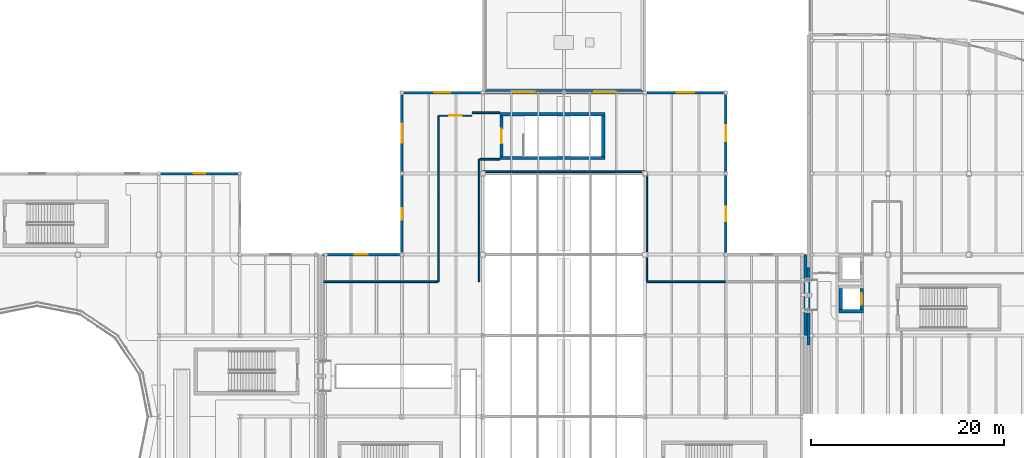
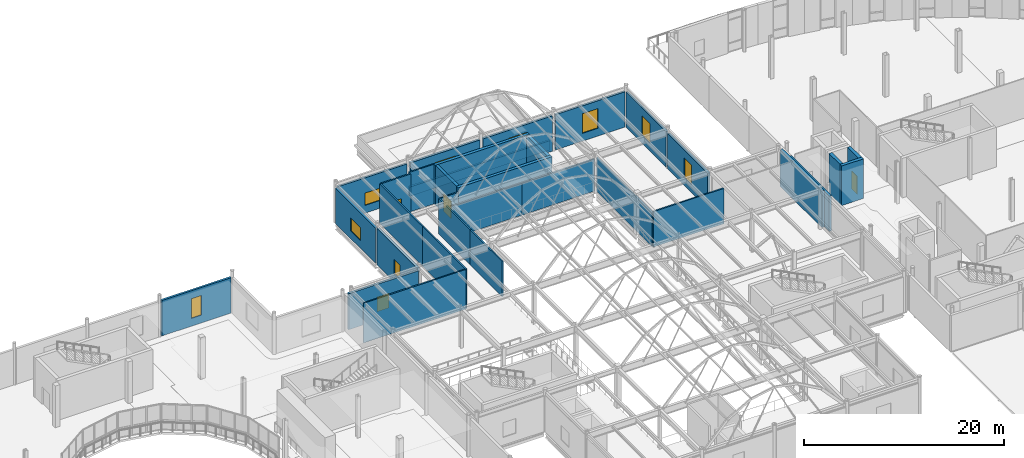
# One storey, part 67 of 103: 32 walls, 10 windows, 3 doors, 13 openings.
"""IFC4 building model written with IfcOpenShell, lengths in metres."""

from ifc_helpers import new_model, si_unit, direction, frame, frame_2d, origin, place, context, subcontext, project, spatial, rectangle, extrude, material, layer, layer_set, type_object, element, fill, save


model = new_model("IFC4")

# Units and contexts
model_context = context("Model", 3, precision=1e-05, world=origin(), true_north=direction((0.0, 1.0)))
body_context = subcontext(model_context, "Body", "Model", "MODEL_VIEW")
ifc_project = project(units=[si_unit("LENGTHUNIT", "METRE"), si_unit("AREAUNIT", "SQUARE_METRE"), si_unit("VOLUMEUNIT", "CUBIC_METRE"), si_unit("PLANEANGLEUNIT", "RADIAN"), si_unit("MASSUNIT", "GRAM", prefix="KILO"), si_unit("THERMODYNAMICTEMPERATUREUNIT", "KELVIN")], contexts=[model_context])

# Site, building, storey
site_placement = place(None, origin())
site = spatial("IfcSite", under=ifc_project, at=site_placement, CompositionType="ELEMENT")
building_placement = place(site_placement, origin())
building = spatial("IfcBuilding", under=site, at=building_placement, Name="Lustrewick Department Store", CompositionType="ELEMENT")
storey_placement = place(building_placement, frame((0.0, 0.0, 16.5)))
storey = spatial("IfcBuildingStorey", under=building, at=storey_placement, Name="L04", CompositionType="ELEMENT", Elevation=16.5)

# Wall, opening, window
ifc_material_1 = material(Name="Precast concrete C40", Category="concrete")
ifc_layer_1 = layer(ifc_material_1, 0.239990234375, Name="Precast concrete C40")
ifc_layer_set_1 = layer_set([ifc_layer_1], Name="Precast concrete C40")
wall_type_1 = type_object("IfcWallType", Name="EW01", PredefinedType="STANDARD", material=ifc_layer_set_1)
wall_1_placement = place(storey_placement, frame((50.216552734375, 92.39990234375, 0.0), z_axis=(0.0, 0.0, 1.0), x_axis=(-1.0, 0.0, 0.0)))
wall_1 = element("IfcWall", 1, at=wall_1_placement, inside=storey, type_object=wall_type_1, Name="L04 V1 Exterior Wall EW01", PredefinedType="STANDARD", context=body_context, shape_type="SweptSolid", body=[
    extrude(rectangle(XDim=8.032958984375, YDim=0.239990234375, at=frame_2d((4.0166015625, 0.0))), origin(), (0.0, 0.0, 1.0), 4.3310546875),
])
opening_1_placement = place(wall_1_placement, frame((3.41650390625, 0.0, 0.949951171875)))
opening_1 = element("IfcOpeningElement", 2, at=opening_1_placement, cuts=wall_1, Name="Opening WN13", PredefinedType="OPENING", context=body_context, shape_type="SweptSolid", body=[
    extrude(rectangle(XDim=1.199951171875, YDim=2.39990234375, at=frame_2d((0.60009765625, 1.199951171875))), frame((0.0, 0.1298828125, 0.0), z_axis=(0.0, -1.0, 0.0), x_axis=(1.0, 0.0, 0.0)), (0.0, 0.0, 1.0), 0.260009765625),
])
ifc_material_2 = material(Name="Thermally broken Low-E triple-glazed window", Category="glass")
window_type_1 = type_object("IfcWindowType", Name="WN13", PartitioningType="DOUBLE_PANEL_VERTICAL", PredefinedType="WINDOW", material=ifc_material_2)
window_1_placement = place(opening_1_placement, origin())
window_1 = element("IfcWindow", 3, at=window_1_placement, inside=storey, type_object=window_type_1, Name="L04 Art Nouveau Window WN13", OverallHeight=2.39990234375, OverallWidth=1.199951171875, PartitioningType="SINGLE_PANEL", PredefinedType="WINDOW", context=body_context, shape_type="SweptSolid", body=[
    extrude(rectangle(XDim=1.199951171875, YDim=2.39990234375, at=frame_2d((0.60009765625, 1.199951171875))), frame((0.0, 0.030029296875, 0.0), z_axis=(0.0, -1.0, 0.0), x_axis=(1.0, 0.0, 0.0)), (0.0, 0.0, 1.0), 0.06005859375),
])
fill(opening_1, window_1)

wall_2_placement = place(storey_placement, frame((100.800048828125, 92.58349609375, 0.0), z_axis=(0.0, 0.0, 1.0), x_axis=(0.0, 1.0, 0.0)))
wall_2 = element("IfcWall", 4, at=wall_2_placement, inside=storey, type_object=wall_type_1, Name="L04 V2 Exterior Wall EW01", PredefinedType="STANDARD", context=body_context, shape_type="SweptSolid", body=[
    extrude(rectangle(XDim=8.0185546875, YDim=0.239990234375, at=frame_2d((4.00927734375, 0.0))), origin(), (0.0, 0.0, 1.0), 4.320068359375),
])
opening_2_placement = place(wall_2_placement, frame((3.169189453125, 0.0, 0.949951171875)))
opening_2 = element("IfcOpeningElement", 5, at=opening_2_placement, cuts=wall_2, Name="Opening WN15", PredefinedType="OPENING", context=body_context, shape_type="SweptSolid", body=[
    extrude(rectangle(XDim=1.679931640625, YDim=2.39990234375, at=frame_2d((0.83984375, 1.199951171875))), frame((0.0, 0.1298828125, 0.0), z_axis=(0.0, -1.0, 0.0), x_axis=(1.0, 0.0, 0.0)), (0.0, 0.0, 1.0), 0.260009765625),
])
window_type_2 = type_object("IfcWindowType", Name="WN15", PartitioningType="DOUBLE_PANEL_VERTICAL", PredefinedType="WINDOW", material=ifc_material_2)
window_2_placement = place(opening_2_placement, origin())
window_2 = element("IfcWindow", 6, at=window_2_placement, inside=storey, type_object=window_type_2, Name="L04 Art Nouveau Window WN15", OverallHeight=2.39990234375, OverallWidth=1.679931640625, PartitioningType="SINGLE_PANEL", PredefinedType="WINDOW", context=body_context, shape_type="SweptSolid", body=[
    extrude(rectangle(XDim=1.679931640625, YDim=2.39990234375, at=frame_2d((0.83984375, 1.199951171875))), frame((0.0, 0.030029296875, 0.0), z_axis=(0.0, -1.0, 0.0), x_axis=(1.0, 0.0, 0.0)), (0.0, 0.0, 1.0), 0.06005859375),
])
fill(opening_2, window_2)

wall_3_placement = place(storey_placement, frame((100.60205078125, 100.800048828125, 0.0), z_axis=(0.0, 0.0, 1.0), x_axis=(-1.0, 0.0, 0.0)))
wall_3 = element("IfcWall", 7, at=wall_3_placement, inside=storey, type_object=wall_type_1, Name="L04 V2 Exterior Wall EW01", PredefinedType="STANDARD", context=body_context, shape_type="SweptSolid", body=[
    extrude(rectangle(XDim=8.004150390625, YDim=0.239990234375, at=frame_2d((4.001953125, 0.0))), origin(), (0.0, 0.0, 1.0), 4.320068359375),
])
opening_3_placement = place(wall_3_placement, frame((3.10205078125, 0.0, 0.949951171875)))
opening_3 = element("IfcOpeningElement", 8, at=opening_3_placement, cuts=wall_3, Name="Opening WN16", PredefinedType="OPENING", context=body_context, shape_type="SweptSolid", body=[
    extrude(rectangle(XDim=1.800048828125, YDim=2.39990234375, at=frame_2d((0.89990234375, 1.199951171875))), frame((0.0, 0.1298828125, 0.0), z_axis=(0.0, -1.0, 0.0), x_axis=(1.0, 0.0, 0.0)), (0.0, 0.0, 1.0), 0.260009765625),
])
window_type_3 = type_object("IfcWindowType", Name="WN16", PartitioningType="DOUBLE_PANEL_VERTICAL", PredefinedType="WINDOW", material=ifc_material_2)
window_3_placement = place(opening_3_placement, origin())
window_3 = element("IfcWindow", 9, at=window_3_placement, inside=storey, type_object=window_type_3, Name="L04 Art Nouveau Window WN16", OverallHeight=2.39990234375, OverallWidth=1.800048828125, PartitioningType="SINGLE_PANEL", PredefinedType="WINDOW", context=body_context, shape_type="SweptSolid", body=[
    extrude(rectangle(XDim=1.800048828125, YDim=2.39990234375, at=frame_2d((0.89990234375, 1.199951171875))), frame((0.0, 0.030029296875, 0.0), z_axis=(0.0, -1.0, 0.0), x_axis=(1.0, 0.0, 0.0)), (0.0, 0.0, 1.0), 0.06005859375),
])
fill(opening_3, window_3)

wall_4_placement = place(storey_placement, frame((75.402099609375, 100.800048828125, 0.0), z_axis=(0.0, 0.0, 1.0), x_axis=(-1.0, 0.0, 0.0)))
wall_4 = element("IfcWall", 10, at=wall_4_placement, inside=storey, type_object=wall_type_1, Name="L04 V2 Exterior Wall EW01", PredefinedType="STANDARD", context=body_context, shape_type="SweptSolid", body=[
    extrude(rectangle(XDim=8.004150390625, YDim=0.239990234375, at=frame_2d((4.001953125, 0.0))), origin(), (0.0, 0.0, 1.0), 4.320068359375),
])
opening_4_placement = place(wall_4_placement, frame((3.162109375, 0.0, 0.949951171875)))
opening_4 = element("IfcOpeningElement", 11, at=opening_4_placement, cuts=wall_4, Name="Opening WN19", PredefinedType="OPENING", context=body_context, shape_type="SweptSolid", body=[
    extrude(rectangle(XDim=1.679931640625, YDim=1.5, at=frame_2d((0.83984375, 0.75))), frame((0.0, 0.1298828125, 0.0), z_axis=(0.0, -1.0, 0.0), x_axis=(1.0, 0.0, 0.0)), (0.0, 0.0, 1.0), 0.260009765625),
])
window_type_4 = type_object("IfcWindowType", Name="WN19", PartitioningType="DOUBLE_PANEL_VERTICAL", PredefinedType="WINDOW", material=ifc_material_2)
window_4_placement = place(opening_4_placement, origin())
window_4 = element("IfcWindow", 12, at=window_4_placement, inside=storey, type_object=window_type_4, Name="L04 Art Nouveau Window WN19", OverallHeight=1.5, OverallWidth=1.679931640625, PartitioningType="SINGLE_PANEL", PredefinedType="WINDOW", context=body_context, shape_type="SweptSolid", body=[
    extrude(rectangle(XDim=1.679931640625, YDim=1.5, at=frame_2d((0.83984375, 0.75))), frame((0.0, 0.030029296875, 0.0), z_axis=(0.0, -1.0, 0.0), x_axis=(1.0, 0.0, 0.0)), (0.0, 0.0, 1.0), 0.06005859375),
])
fill(opening_4, window_4)

ifc_layer_2 = layer(ifc_material_1, 0.260009765625, Name="Precast concrete C40")
ifc_layer_set_2 = layer_set([ifc_layer_2], Name="Precast concrete C40")
wall_type_2 = type_object("IfcWallType", Name="EW02", PredefinedType="STANDARD", material=ifc_layer_set_2)
wall_5_placement = place(storey_placement, frame((92.201904296875, 100.800048828125, 0.0), z_axis=(0.0, 0.0, 1.0), x_axis=(-1.0, 0.0, 0.0)))
wall_5 = element("IfcWall", 13, at=wall_5_placement, inside=storey, type_object=wall_type_2, Name="L04 V2 Exterior Wall EW02", PredefinedType="STANDARD", context=body_context, shape_type="SweptSolid", body=[
    extrude(rectangle(XDim=8.00390625, YDim=0.260009765625, at=frame_2d((4.001953125, 0.0))), origin(), (0.0, 0.0, 1.0), 4.320068359375),
])
opening_5_placement = place(wall_5_placement, frame((2.951904296875, 0.0, 0.949951171875)))
opening_5 = element("IfcOpeningElement", 14, at=opening_5_placement, cuts=wall_5, Name="Opening WN17", PredefinedType="OPENING", context=body_context, shape_type="SweptSolid", body=[
    extrude(rectangle(XDim=2.10009765625, YDim=2.39990234375, at=frame_2d((1.050048828125, 1.199951171875))), frame((0.0, 0.14013671875, 0.0), z_axis=(0.0, -1.0, 0.0), x_axis=(1.0, 0.0, 0.0)), (0.0, 0.0, 1.0), 0.280029296875),
])
window_type_5 = type_object("IfcWindowType", Name="WN17", PartitioningType="DOUBLE_PANEL_VERTICAL", PredefinedType="WINDOW", material=ifc_material_2)
window_5_placement = place(opening_5_placement, origin())
window_5 = element("IfcWindow", 15, at=window_5_placement, inside=storey, type_object=window_type_5, Name="L04 Art Nouveau Window WN17", OverallHeight=2.39990234375, OverallWidth=2.10009765625, PartitioningType="SINGLE_PANEL", PredefinedType="WINDOW", context=body_context, shape_type="SweptSolid", body=[
    extrude(rectangle(XDim=2.10009765625, YDim=2.39990234375, at=frame_2d((1.050048828125, 1.199951171875))), frame((0.0, 0.030029296875, 0.0), z_axis=(0.0, -1.0, 0.0), x_axis=(1.0, 0.0, 0.0)), (0.0, 0.0, 1.0), 0.06005859375),
])
fill(opening_5, window_5)

wall_6_placement = place(storey_placement, frame((67.199951171875, 100.60205078125, 0.0), z_axis=(0.0, 0.0, 1.0), x_axis=(0.0, -1.0, 0.0)))
wall_6 = element("IfcWall", 16, at=wall_6_placement, inside=storey, type_object=wall_type_2, Name="L04 V2 Exterior Wall EW02", PredefinedType="STANDARD", context=body_context, shape_type="SweptSolid", body=[
    extrude(rectangle(XDim=8.0185546875, YDim=0.260009765625, at=frame_2d((4.00927734375, 0.0))), origin(), (0.0, 0.0, 1.0), 4.320068359375),
])
opening_6_placement = place(wall_6_placement, frame((3.00927734375, 0.0, 0.949951171875)))
opening_6 = element("IfcOpeningElement", 17, at=opening_6_placement, cuts=wall_6, Name="Opening WN20", PredefinedType="OPENING", context=body_context, shape_type="SweptSolid", body=[
    extrude(rectangle(XDim=2.0, YDim=1.60009765625, at=frame_2d((1.0, 0.800048828125))), frame((0.0, 0.14013671875, 0.0), z_axis=(0.0, -1.0, 0.0), x_axis=(1.0, 0.0, 0.0)), (0.0, 0.0, 1.0), 0.280029296875),
])
window_type_6 = type_object("IfcWindowType", Name="WN20", PartitioningType="DOUBLE_PANEL_VERTICAL", PredefinedType="WINDOW", material=ifc_material_2)
window_6_placement = place(opening_6_placement, origin())
window_6 = element("IfcWindow", 18, at=window_6_placement, inside=storey, type_object=window_type_6, Name="L04 Art Nouveau Window WN20", OverallHeight=1.60009765625, OverallWidth=2.0, PartitioningType="SINGLE_PANEL", PredefinedType="WINDOW", context=body_context, shape_type="SweptSolid", body=[
    extrude(rectangle(XDim=2.0, YDim=1.60009765625, at=frame_2d((1.0, 0.800048828125))), frame((0.0, 0.030029296875, 0.0), z_axis=(0.0, -1.0, 0.0), x_axis=(1.0, 0.0, 0.0)), (0.0, 0.0, 1.0), 0.06005859375),
])
fill(opening_6, window_6)

ifc_layer_3 = layer(ifc_material_1, 0.280029296875, Name="Precast concrete C40")
ifc_layer_set_3 = layer_set([ifc_layer_3], Name="Precast concrete C40")
wall_type_3 = type_object("IfcWallType", Name="EW03", PredefinedType="STANDARD", material=ifc_layer_set_3)
wall_7_placement = place(storey_placement, frame((100.800048828125, 84.197998046875, 0.0), z_axis=(0.0, 0.0, 1.0), x_axis=(0.0, 1.0, 0.0)))
wall_7 = element("IfcWall", 19, at=wall_7_placement, inside=storey, type_object=wall_type_3, Name="L04 V2 Exterior Wall EW03", PredefinedType="STANDARD", context=body_context, shape_type="SweptSolid", body=[
    extrude(rectangle(XDim=8.0185546875, YDim=0.280029296875, at=frame_2d((4.00927734375, 0.0))), origin(), (0.0, 0.0, 1.0), 4.3310546875),
])
opening_7_placement = place(wall_7_placement, frame((3.25927734375, 0.0, 0.949951171875)))
opening_7 = element("IfcOpeningElement", 20, at=opening_7_placement, cuts=wall_7, Name="Opening WN14", PredefinedType="OPENING", context=body_context, shape_type="SweptSolid", body=[
    extrude(rectangle(XDim=1.5, YDim=2.39990234375, at=frame_2d((0.75, 1.199951171875))), frame((0.0, 0.14990234375, 0.0), z_axis=(0.0, -1.0, 0.0), x_axis=(1.0, 0.0, 0.0)), (0.0, 0.0, 1.0), 0.300048828125),
])
window_type_7 = type_object("IfcWindowType", Name="WN14", PartitioningType="DOUBLE_PANEL_VERTICAL", PredefinedType="WINDOW", material=ifc_material_2)
window_7_placement = place(opening_7_placement, origin())
window_7 = element("IfcWindow", 21, at=window_7_placement, inside=storey, type_object=window_type_7, Name="L04 Art Nouveau Window WN14", OverallHeight=2.39990234375, OverallWidth=1.5, PartitioningType="SINGLE_PANEL", PredefinedType="WINDOW", context=body_context, shape_type="SweptSolid", body=[
    extrude(rectangle(XDim=1.5, YDim=2.39990234375, at=frame_2d((0.75, 1.199951171875))), frame((0.0, 0.030029296875, 0.0), z_axis=(0.0, -1.0, 0.0), x_axis=(1.0, 0.0, 0.0)), (0.0, 0.0, 1.0), 0.06005859375),
])
fill(opening_7, window_7)

wall_8_placement = place(storey_placement, frame((83.802001953125, 100.800048828125, 0.0), z_axis=(0.0, 0.0, 1.0), x_axis=(-1.0, 0.0, 0.0)))
wall_8 = element("IfcWall", 22, at=wall_8_placement, inside=storey, type_object=wall_type_3, Name="L04 V2 Exterior Wall EW03", PredefinedType="STANDARD", context=body_context, shape_type="SweptSolid", body=[
    extrude(rectangle(XDim=8.00390625, YDim=0.280029296875, at=frame_2d((4.001953125, 0.0))), origin(), (0.0, 0.0, 1.0), 4.320068359375),
])
opening_8_placement = place(wall_8_placement, frame((2.802001953125, 0.0, 0.949951171875)))
opening_8 = element("IfcOpeningElement", 23, at=opening_8_placement, cuts=wall_8, Name="Opening WN18", PredefinedType="OPENING", context=body_context, shape_type="SweptSolid", body=[
    extrude(rectangle(XDim=2.39990234375, YDim=2.39990234375, at=frame_2d((1.199951171875, 1.199951171875))), frame((0.0, 0.14990234375, 0.0), z_axis=(0.0, -1.0, 0.0), x_axis=(1.0, 0.0, 0.0)), (0.0, 0.0, 1.0), 0.300048828125),
])
window_type_8 = type_object("IfcWindowType", Name="WN18", PartitioningType="DOUBLE_PANEL_VERTICAL", PredefinedType="WINDOW", material=ifc_material_2)
window_8_placement = place(opening_8_placement, origin())
window_8 = element("IfcWindow", 24, at=window_8_placement, inside=storey, type_object=window_type_8, Name="L04 Art Nouveau Window WN18", OverallHeight=2.39990234375, OverallWidth=2.39990234375, PartitioningType="SINGLE_PANEL", PredefinedType="WINDOW", context=body_context, shape_type="SweptSolid", body=[
    extrude(rectangle(XDim=2.39990234375, YDim=2.39990234375, at=frame_2d((1.199951171875, 1.199951171875))), frame((0.0, 0.030029296875, 0.0), z_axis=(0.0, -1.0, 0.0), x_axis=(1.0, 0.0, 0.0)), (0.0, 0.0, 1.0), 0.06005859375),
])
fill(opening_8, window_8)

wall_9_placement = place(storey_placement, frame((67.199951171875, 92.216552734375, 0.0), z_axis=(0.0, 0.0, 1.0), x_axis=(0.0, -1.0, 0.0)))
wall_9 = element("IfcWall", 25, at=wall_9_placement, inside=storey, type_object=wall_type_3, Name="L04 V2 Exterior Wall EW03", PredefinedType="STANDARD", context=body_context, shape_type="SweptSolid", body=[
    extrude(rectangle(XDim=8.0185546875, YDim=0.280029296875, at=frame_2d((4.00927734375, 0.0))), origin(), (0.0, 0.0, 1.0), 4.487060546875),
])
opening_9_placement = place(wall_9_placement, frame((3.4091796875, 0.0, 0.949951171875)))
opening_9 = element("IfcOpeningElement", 26, at=opening_9_placement, cuts=wall_9, Name="Opening WN01", PredefinedType="OPENING", context=body_context, shape_type="SweptSolid", body=[
    extrude(rectangle(XDim=1.199951171875, YDim=1.800048828125, at=frame_2d((0.60009765625, 0.89990234375))), frame((0.0, 0.14990234375, 0.0), z_axis=(0.0, -1.0, 0.0), x_axis=(1.0, 0.0, 0.0)), (0.0, 0.0, 1.0), 0.300048828125),
])
window_type_9 = type_object("IfcWindowType", Name="WN01", PartitioningType="DOUBLE_PANEL_VERTICAL", PredefinedType="WINDOW", material=ifc_material_2)
window_9_placement = place(opening_9_placement, origin())
window_9 = element("IfcWindow", 27, at=window_9_placement, inside=storey, type_object=window_type_9, Name="L04 Art Nouveau Window WN01", OverallHeight=1.800048828125, OverallWidth=1.199951171875, PartitioningType="SINGLE_PANEL", PredefinedType="WINDOW", context=body_context, shape_type="SweptSolid", body=[
    extrude(rectangle(XDim=1.199951171875, YDim=1.800048828125, at=frame_2d((0.60009765625, 0.89990234375))), frame((0.0, 0.030029296875, 0.0), z_axis=(0.0, -1.0, 0.0), x_axis=(1.0, 0.0, 0.0)), (0.0, 0.0, 1.0), 0.06005859375),
])
fill(opening_9, window_9)

wall_10_placement = place(storey_placement, frame((67.001953125, 84.0, 0.0), z_axis=(0.0, 0.0, 1.0), x_axis=(-1.0, 0.0, 0.0)))
wall_10 = element("IfcWall", 28, at=wall_10_placement, inside=storey, type_object=wall_type_3, Name="L04 V2 Exterior Wall EW03", PredefinedType="STANDARD", context=body_context, shape_type="SweptSolid", body=[
    extrude(rectangle(XDim=8.052001953125, YDim=0.280029296875, at=frame_2d((4.02587890625, 0.0))), origin(), (0.0, 0.0, 1.0), 4.39697265625),
])
opening_10_placement = place(wall_10_placement, frame((3.35107421875, 0.0, 0.949951171875)))
opening_10 = element("IfcOpeningElement", 29, at=opening_10_placement, cuts=wall_10, Name="Opening WN02", PredefinedType="OPENING", context=body_context, shape_type="SweptSolid", body=[
    extrude(rectangle(XDim=1.35009765625, YDim=1.800048828125, at=frame_2d((0.675048828125, 0.89990234375))), frame((0.0, 0.14990234375, 0.0), z_axis=(0.0, -1.0, 0.0), x_axis=(1.0, 0.0, 0.0)), (0.0, 0.0, 1.0), 0.300048828125),
])
window_type_10 = type_object("IfcWindowType", Name="WN02", PartitioningType="DOUBLE_PANEL_VERTICAL", PredefinedType="WINDOW", material=ifc_material_2)
window_10_placement = place(opening_10_placement, origin())
window_10 = element("IfcWindow", 30, at=window_10_placement, inside=storey, type_object=window_type_10, Name="L04 Art Nouveau Window WN02", OverallHeight=1.800048828125, OverallWidth=1.35009765625, PartitioningType="SINGLE_PANEL", PredefinedType="WINDOW", context=body_context, shape_type="SweptSolid", body=[
    extrude(rectangle(XDim=1.35009765625, YDim=1.800048828125, at=frame_2d((0.675048828125, 0.89990234375))), frame((0.0, 0.030029296875, 0.0), z_axis=(0.0, -1.0, 0.0), x_axis=(1.0, 0.0, 0.0)), (0.0, 0.0, 1.0), 0.06005859375),
])
fill(opening_10, window_10)

# Walls
ifc_layer_4 = layer(ifc_material_1, 0.300048828125, Name="Precast concrete C40")
ifc_layer_set_4 = layer_set([ifc_layer_4], Name="Precast concrete C40")
wall_type_4 = type_object("IfcWallType", Name="EW04", PredefinedType="STANDARD", material=ifc_layer_set_4)
wall_11_placement = place(storey_placement, frame((109.050048828125, 75.60009765625, 0.0), z_axis=(0.0, 0.0, 1.0), x_axis=(0.0, 1.0, 0.0)))
element("IfcWall", 31, at=wall_11_placement, inside=storey, type_object=wall_type_4, Name="L04 V2 Exterior Wall EW04", PredefinedType="STANDARD", context=body_context, shape_type="SweptSolid", body=[
    extrude(rectangle(XDim=8.39990234375, YDim=0.300048828125, at=frame_2d((4.199951171875, 0.0))), origin(), (0.0, 0.0, 1.0), 4.487060546875),
])
wall_12_placement = place(storey_placement, frame((109.35009765625, 82.69287109375, 0.0), z_axis=(0.0, 0.0, 1.0), x_axis=(0.0, -1.0, 0.0)))
element("IfcWall", 32, at=wall_12_placement, inside=storey, type_object=wall_type_4, Name="L04 V4 Exterior Wall EW04", PredefinedType="STANDARD", context=body_context, shape_type="SweptSolid", body=[
    extrude(rectangle(XDim=8.035888671875, YDim=0.300048828125, at=frame_2d((4.01806640625, 0.0))), origin(), (0.0, 0.0, 1.0), 4.3310546875),
])
ifc_layer_5 = layer(ifc_material_1, 0.22998046875, Name="Precast concrete C40")
ifc_layer_set_5 = layer_set([ifc_layer_5], Name="Precast concrete C40")
wall_type_5 = type_object("IfcWallType", Name="PA03", PredefinedType="PARAPET", material=ifc_layer_set_5)
wall_13_placement = place(storey_placement, frame((92.1201171875, 101.080078125, 0.0), z_axis=(0.0, 0.0, 1.0), x_axis=(-1.0, 0.0, 0.0)))
element("IfcWall", 33, at=wall_13_placement, inside=storey, type_object=wall_type_5, Name="L04 Roof Parapet PA03", PredefinedType="PARAPET", context=body_context, shape_type="SweptSolid", body=[
    extrude(rectangle(XDim=16.240234375, YDim=0.22998046875, at=frame_2d((8.1201171875, 0.0))), origin(), (0.0, 0.0, 1.0), 1.14990234375),
])
ifc_material_3 = material(Name="Double-stud gypsum fire board with mineral wool", Category="gypsum")
ifc_layer_6 = layer(ifc_material_3, 0.1650390625, Name="Double-stud gypsum fire board with mineral wool")
ifc_layer_set_6 = layer_set([ifc_layer_6], Name="Double-stud gypsum fire board with mineral wool")
wall_type_6 = type_object("IfcWallType", Name="PW04", PredefinedType="PARTITIONING", material=ifc_layer_set_6)
wall_14_placement = place(storey_placement, frame((75.2099609375, 93.889892578125, 0.0), z_axis=(0.0, 0.0, 1.0), x_axis=(0.0, -1.0, 0.0)))
element("IfcWall", 34, at=wall_14_placement, inside=storey, type_object=wall_type_6, Name="L04 AHU Mechanical Plant PW04", PredefinedType="PARTITIONING", context=body_context, shape_type="SweptSolid", body=[
    extrude(rectangle(XDim=6.346923828125, YDim=0.1650390625, at=frame_2d((3.17333984375, 0.0))), origin(), (0.0, 0.0, 1.0), 4.320068359375),
])
wall_15_placement = place(storey_placement, frame((75.2099609375, 87.54296875, 0.0), z_axis=(0.0, 0.0, 1.0), x_axis=(0.0, -1.0, 0.0)))
element("IfcWall", 35, at=wall_15_placement, inside=storey, type_object=wall_type_6, Name="L04 AHU Mechanical Plant PW04", PredefinedType="PARTITIONING", context=body_context, shape_type="SweptSolid", body=[
    extrude(rectangle(XDim=6.34716796875, YDim=0.1650390625, at=frame_2d((3.173583984375, 0.0))), origin(), (0.0, 0.0, 1.0), 4.320068359375),
])

# Wall, opening, door
wall_16_placement = place(storey_placement, frame((71.0, 98.409912109375, 0.0), z_axis=(0.0, 0.0, 1.0), x_axis=(1.0, 0.0, 0.0)))
wall_16 = element("IfcWall", 36, at=wall_16_placement, inside=storey, type_object=wall_type_6, Name="L04 AHU Mechanical Plant PW04", PredefinedType="PARTITIONING", context=body_context, shape_type="SweptSolid", body=[
    extrude(rectangle(XDim=3.489990234375, YDim=0.1650390625, at=frame_2d((1.7451171875, 0.0))), origin(), (0.0, 0.0, 1.0), 4.844970703125),
])
opening_11_placement = place(wall_16_placement, frame((1.094970703125, 0.0, 0.0)))
opening_11 = element("IfcOpeningElement", 37, at=opening_11_placement, cuts=wall_16, Name="Opening D-L04-048", PredefinedType="OPENING", context=body_context, shape_type="SweptSolid", body=[
    extrude(rectangle(XDim=1.300048828125, YDim=2.199951171875, at=frame_2d((0.64990234375, 1.10009765625))), frame((0.0, 0.092529296875, 0.0), z_axis=(0.0, -1.0, 0.0), x_axis=(1.0, 0.0, 0.0)), (0.0, 0.0, 1.0), 0.18505859375),
])
ifc_material_4 = material(Name="Steel fire door Class A EI 90", Category="steel")
door_type_1 = type_object("IfcDoorType", Name="DT-13", OperationType="NOTDEFINED", PredefinedType="DOOR", material=ifc_material_4)
door_1_placement = place(opening_11_placement, origin())
door_1 = element("IfcDoor", 38, at=door_1_placement, inside=storey, type_object=door_type_1, Name="L04 AHU Mechanical Plant Door D-L04-048", OperationType="SINGLE_SWING_RIGHT", OverallHeight=2.199951171875, OverallWidth=1.300048828125, PredefinedType="DOOR", context=body_context, shape_type="SweptSolid", body=[
    extrude(rectangle(XDim=1.300048828125, YDim=2.199951171875, at=frame_2d((0.64990234375, 1.10009765625))), frame((0.0, 0.02490234375, 0.0), z_axis=(0.0, -1.0, 0.0), x_axis=(1.0, 0.0, 0.0)), (0.0, 0.0, 1.0), 0.050048828125),
])
fill(opening_11, door_1)

# Walls
wall_17_placement = place(storey_placement, frame((74.5, 98.7099609375, 0.0), z_axis=(0.0, 0.0, 1.0), x_axis=(1.0, 0.0, 0.0)))
element("IfcWall", 39, at=wall_17_placement, inside=storey, type_object=wall_type_6, Name="L04 AHU Mechanical Plant PW04", PredefinedType="PARTITIONING", context=body_context, shape_type="SweptSolid", body=[
    extrude(rectangle(XDim=2.860107421875, YDim=0.1650390625, at=frame_2d((1.43017578125, 0.0))), origin(), (0.0, 0.0, 1.0), 4.844970703125),
])
wall_18_placement = place(storey_placement, frame((77.360107421875, 93.889892578125, 0.0), z_axis=(0.0, 0.0, 1.0), x_axis=(-1.0, 0.0, 0.0)))
element("IfcWall", 40, at=wall_18_placement, inside=storey, type_object=wall_type_6, Name="L04 AHU Mechanical Plant PW04", PredefinedType="PARTITIONING", context=body_context, shape_type="SweptSolid", body=[
    extrude(rectangle(XDim=2.072509765625, YDim=0.1650390625, at=frame_2d((1.0361328125, 0.0))), origin(), (0.0, 0.0, 1.0), 4.320068359375),
])
for number, where, z_axis, x_axis, name in (
    (41, (70.989990234375, 81.19580078125, 0.0), (0.0, 0.0, 1.0), (0.0, 1.0, 0.0), "L04 AHU Mechanical Plant PW04"),
    (42, (70.989990234375, 89.7978515625, 0.0), (0.0, 0.0, 1.0), (0.0, 1.0, 0.0), "L04 AHU Mechanical Plant PW04"),
):
    element("IfcWall", number, at=place(storey_placement, frame(where, z_axis=z_axis, x_axis=x_axis)), inside=storey, type_object=wall_type_6, Name=name, PredefinedType="PARTITIONING", context=body_context, shape_type="SweptSolid", body=[
        extrude(rectangle(XDim=8.60205078125, YDim=0.1650390625, at=frame_2d((4.301025390625, 0.0))), origin(), (0.0, 0.0, 1.0), 4.844970703125),
    ])
wall_19_placement = place(storey_placement, frame((59.094970703125, 81.19580078125, 0.0), z_axis=(0.0, 0.0, 1.0), x_axis=(1.0, 0.0, 0.0)))
element("IfcWall", 43, at=wall_19_placement, inside=storey, type_object=wall_type_6, Name="L04 AHU Mechanical Plant PW04", PredefinedType="PARTITIONING", context=body_context, shape_type="SweptSolid", body=[
    extrude(rectangle(XDim=11.817626953125, YDim=0.1650390625, at=frame_2d((5.90869140625, 0.0))), origin(), (0.0, 0.0, 1.0), 4.844970703125),
])
for number, where, z_axis, x_axis, name in (
    (44, (75.60009765625, 92.60009765625, 0.0), (0.0, 0.0, 1.0), (1.0, 0.0, 0.0), "L04 AHU Mechanical Plant PW04"),
    (45, (84.0, 92.60009765625, 0.0), (0.0, 0.0, 1.0), (1.0, 0.0, 0.0), "L04 AHU Mechanical Plant PW04"),
):
    element("IfcWall", number, at=place(storey_placement, frame(where, z_axis=z_axis, x_axis=x_axis)), inside=storey, type_object=wall_type_6, Name=name, PredefinedType="PARTITIONING", context=body_context, shape_type="SweptSolid", body=[
        extrude(rectangle(XDim=8.39990234375, YDim=0.1650390625, at=frame_2d((4.199951171875, 0.0))), origin(), (0.0, 0.0, 1.0), 3.93701171875),
    ])
wall_20_placement = place(storey_placement, frame((92.60009765625, 81.19580078125, 0.0), z_axis=(0.0, 0.0, 1.0), x_axis=(1.0, 0.0, 0.0)))
element("IfcWall", 46, at=wall_20_placement, inside=storey, type_object=wall_type_6, Name="L04 AHU Mechanical Plant PW04", PredefinedType="PARTITIONING", context=body_context, shape_type="SweptSolid", body=[
    extrude(rectangle(XDim=8.15478515625, YDim=0.1650390625, at=frame_2d((4.077392578125, 0.0))), origin(), (0.0, 0.0, 1.0), 4.320068359375),
])
wall_21_placement = place(storey_placement, frame((92.60009765625, 92.39990234375, 0.0), z_axis=(0.0, 0.0, 1.0), x_axis=(0.0, -1.0, 0.0)))
element("IfcWall", 47, at=wall_21_placement, inside=storey, type_object=wall_type_6, Name="L04 AHU Mechanical Plant PW04", PredefinedType="PARTITIONING", context=body_context, shape_type="SweptSolid", body=[
    extrude(rectangle(XDim=11.126708984375, YDim=0.1650390625, at=frame_2d((5.5634765625, 0.0))), origin(), (0.0, 0.0, 1.0), 4.136962890625),
])
ifc_material_5 = material(Name="Concrete C40", Category="concrete")
ifc_layer_7 = layer(ifc_material_5, 0.360107421875, Name="Concrete C40")
ifc_layer_set_7 = layer_set([ifc_layer_7], Name="Concrete C40")
wall_type_7 = type_object("IfcWallType", Name="SW04", PredefinedType="SHEAR", material=ifc_layer_set_7)
wall_22_placement = place(storey_placement, frame((112.5400390625, 78.1201171875, 0.0), z_axis=(0.0, 0.0, 1.0), x_axis=(1.0, 0.0, 0.0)))
element("IfcWall", 48, at=wall_22_placement, inside=storey, type_object=wall_type_7, Name="L04 Lift PL-07 Shaft Wall -Y", PredefinedType="SHEAR", context=body_context, shape_type="SweptSolid", body=[
    extrude(rectangle(XDim=2.52001953125, YDim=0.360107421875, at=frame_2d((1.260009765625, 0.0))), origin(), (0.0, 0.0, 1.0), 4.844970703125),
])

# Wall, opening, door
wall_23_placement = place(storey_placement, frame((114.8798828125, 78.300048828125, 0.0), z_axis=(0.0, 0.0, 1.0), x_axis=(0.0, 1.0, 0.0)))
wall_23 = element("IfcWall", 49, at=wall_23_placement, inside=storey, type_object=wall_type_7, Name="L04 Lift PL-07 Shaft Wall +X", PredefinedType="SHEAR", context=body_context, shape_type="SweptSolid", body=[
    extrude(rectangle(XDim=2.199951171875, YDim=0.360107421875, at=frame_2d((1.10009765625, 0.0))), origin(), (0.0, 0.0, 1.0), 4.844970703125),
])
opening_12_placement = place(wall_23_placement, frame((0.52490234375, 0.0, 0.0)))
opening_12 = element("IfcOpeningElement", 50, at=opening_12_placement, cuts=wall_23, Name="Opening LD-L04-11", PredefinedType="OPENING", context=body_context, shape_type="SweptSolid", body=[
    extrude(rectangle(XDim=1.14990234375, YDim=2.199951171875, at=frame_2d((0.574951171875, 1.10009765625))), frame((0.0, 0.18994140625, 0.0), z_axis=(0.0, -1.0, 0.0), x_axis=(1.0, 0.0, 0.0)), (0.0, 0.0, 1.0), 0.380126953125),
])
ifc_material_6 = material(Name="Brushed bronze passenger lift landing door EI 60", Category="steel")
door_type_2 = type_object("IfcDoorType", Name="DT-16", OperationType="NOTDEFINED", PredefinedType="DOOR", material=ifc_material_6)
door_2_placement = place(opening_12_placement, frame((1.14990234375, 0.0, 0.0), z_axis=(0.0, 0.0, 1.0), x_axis=(-1.0, 0.0, 0.0)))
door_2 = element("IfcDoor", 51, at=door_2_placement, inside=storey, type_object=door_type_2, Name="L04 Lift PL-07 Sliding Landing Door LD-L04-11", OperationType="DOUBLE_DOOR_SLIDING", OverallHeight=2.199951171875, OverallWidth=1.14990234375, PredefinedType="DOOR", context=body_context, shape_type="SweptSolid", body=[
    extrude(rectangle(XDim=1.14990234375, YDim=2.199951171875, at=frame_2d((0.574951171875, 1.10009765625))), frame((0.0, 0.02490234375, 0.0), z_axis=(0.0, -1.0, 0.0), x_axis=(1.0, 0.0, 0.0)), (0.0, 0.0, 1.0), 0.050048828125),
])
fill(opening_12, door_2)

# Walls
wall_24_placement = place(storey_placement, frame((112.719970703125, 80.5, 0.0), z_axis=(0.0, 0.0, 1.0), x_axis=(0.0, -1.0, 0.0)))
element("IfcWall", 52, at=wall_24_placement, inside=storey, type_object=wall_type_7, Name="L04 Lift PL-07 Shaft Wall -X", PredefinedType="SHEAR", context=body_context, shape_type="SweptSolid", body=[
    extrude(rectangle(XDim=2.199951171875, YDim=0.360107421875, at=frame_2d((1.10009765625, 0.0))), origin(), (0.0, 0.0, 1.0), 4.844970703125),
])
ifc_layer_8 = layer(ifc_material_5, 0.340087890625, Name="Concrete C40")
ifc_layer_set_8 = layer_set([ifc_layer_8], Name="Concrete C40")
wall_type_8 = type_object("IfcWallType", Name="SW05", PredefinedType="SHEAR", material=ifc_layer_set_8)
wall_25_placement = place(storey_placement, frame((77.360107421875, 94.030029296875, 0.0), z_axis=(0.0, 0.0, 1.0), x_axis=(1.0, 0.0, 0.0)))
element("IfcWall", 53, at=wall_25_placement, inside=storey, type_object=wall_type_8, Name="L04 Stair Core ST06 Shear Wall S", PredefinedType="SHEAR", context=body_context, shape_type="SweptSolid", body=[
    extrude(rectangle(XDim=10.8798828125, YDim=0.340087890625, at=frame_2d((5.43994140625, 0.0))), origin(), (0.0, 0.0, 1.0), 4.844970703125),
])
wall_26_placement = place(storey_placement, frame((88.070068359375, 94.199951171875, 0.0), z_axis=(0.0, 0.0, 1.0), x_axis=(0.0, 1.0, 0.0)))
element("IfcWall", 54, at=wall_26_placement, inside=storey, type_object=wall_type_8, Name="L04 Stair Core ST06 Shear Wall E", PredefinedType="SHEAR", context=body_context, shape_type="SweptSolid", body=[
    extrude(rectangle(XDim=4.199951171875, YDim=0.340087890625, at=frame_2d((2.10009765625, 0.0))), origin(), (0.0, 0.0, 1.0), 4.844970703125),
])
wall_27_placement = place(storey_placement, frame((88.239990234375, 98.570068359375, 0.0), z_axis=(0.0, 0.0, 1.0), x_axis=(-1.0, 0.0, 0.0)))
element("IfcWall", 55, at=wall_27_placement, inside=storey, type_object=wall_type_8, Name="L04 Stair Core ST06 Shear Wall N", PredefinedType="SHEAR", context=body_context, shape_type="SweptSolid", body=[
    extrude(rectangle(XDim=10.8798828125, YDim=0.340087890625, at=frame_2d((5.43994140625, 0.0))), origin(), (0.0, 0.0, 1.0), 4.844970703125),
])

# Wall, opening, door
wall_28_placement = place(storey_placement, frame((77.530029296875, 98.39990234375, 0.0), z_axis=(0.0, 0.0, 1.0), x_axis=(0.0, -1.0, 0.0)))
wall_28 = element("IfcWall", 56, at=wall_28_placement, inside=storey, type_object=wall_type_8, Name="L04 Stair Core ST06 Shear Wall W", PredefinedType="SHEAR", context=body_context, shape_type="SweptSolid", body=[
    extrude(rectangle(XDim=4.199951171875, YDim=0.340087890625, at=frame_2d((2.10009765625, 0.0))), origin(), (0.0, 0.0, 1.0), 4.844970703125),
])
opening_13_placement = place(wall_28_placement, frame((1.35009765625, 0.0, 0.0)))
opening_13 = element("IfcOpeningElement", 57, at=opening_13_placement, cuts=wall_28, Name="Opening D-L04-006", PredefinedType="OPENING", context=body_context, shape_type="SweptSolid", body=[
    extrude(rectangle(XDim=1.5, YDim=2.14990234375, at=frame_2d((0.75, 1.074951171875))), frame((0.0, 0.18017578125, 0.0), z_axis=(0.0, -1.0, 0.0), x_axis=(1.0, 0.0, 0.0)), (0.0, 0.0, 1.0), 0.360107421875),
])
ifc_material_7 = material(Name="Steel fire door Class B EI 60", Category="steel")
door_type_3 = type_object("IfcDoorType", Name="DT-07", OperationType="NOTDEFINED", PredefinedType="DOOR", material=ifc_material_7)
door_3_placement = place(opening_13_placement, origin())
door_3 = element("IfcDoor", 58, at=door_3_placement, inside=storey, type_object=door_type_3, Name="L04 Smoke-Proof Stair ST06 Fire Door", OperationType="SINGLE_SWING_LEFT", OverallHeight=2.14990234375, OverallWidth=1.5, PredefinedType="DOOR", context=body_context, shape_type="SweptSolid", body=[
    extrude(rectangle(XDim=1.5, YDim=2.14990234375, at=frame_2d((0.75, 1.074951171875))), frame((0.0, 0.02490234375, 0.0), z_axis=(0.0, -1.0, 0.0), x_axis=(1.0, 0.0, 0.0)), (0.0, 0.0, 1.0), 0.050048828125),
])
fill(opening_13, door_3)

save(model, "model.ifc")
